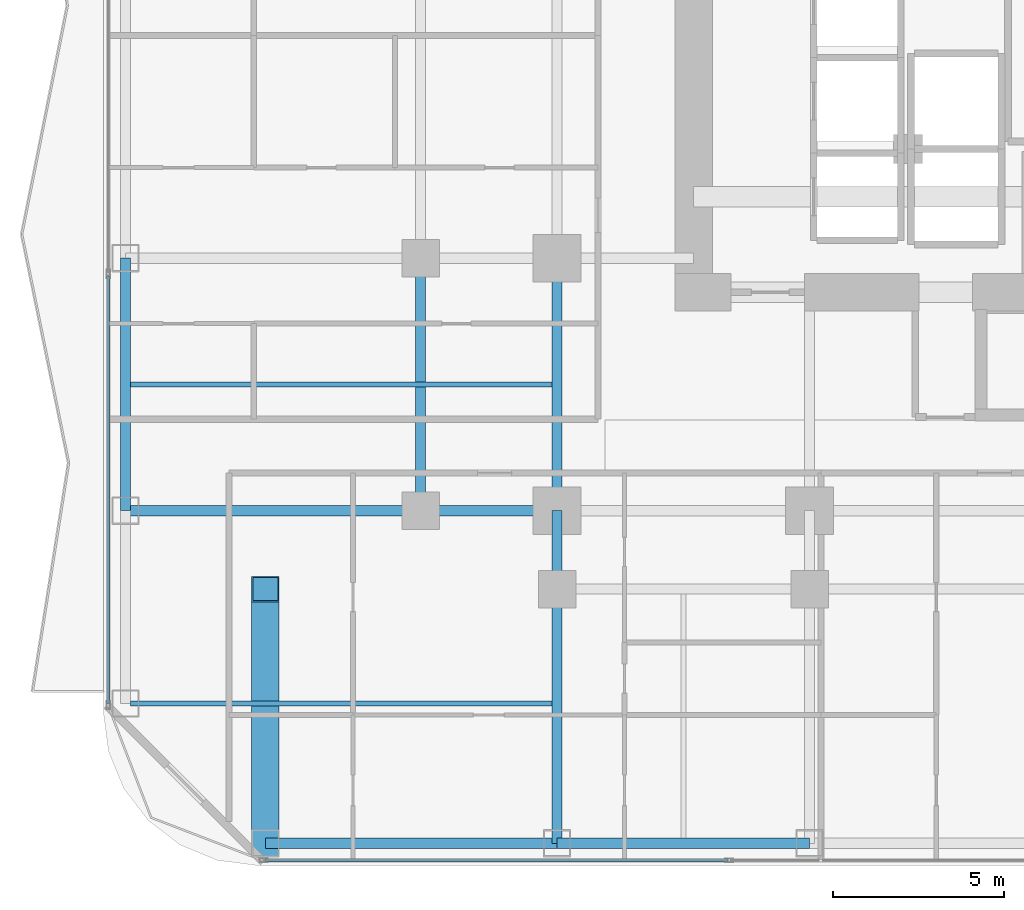
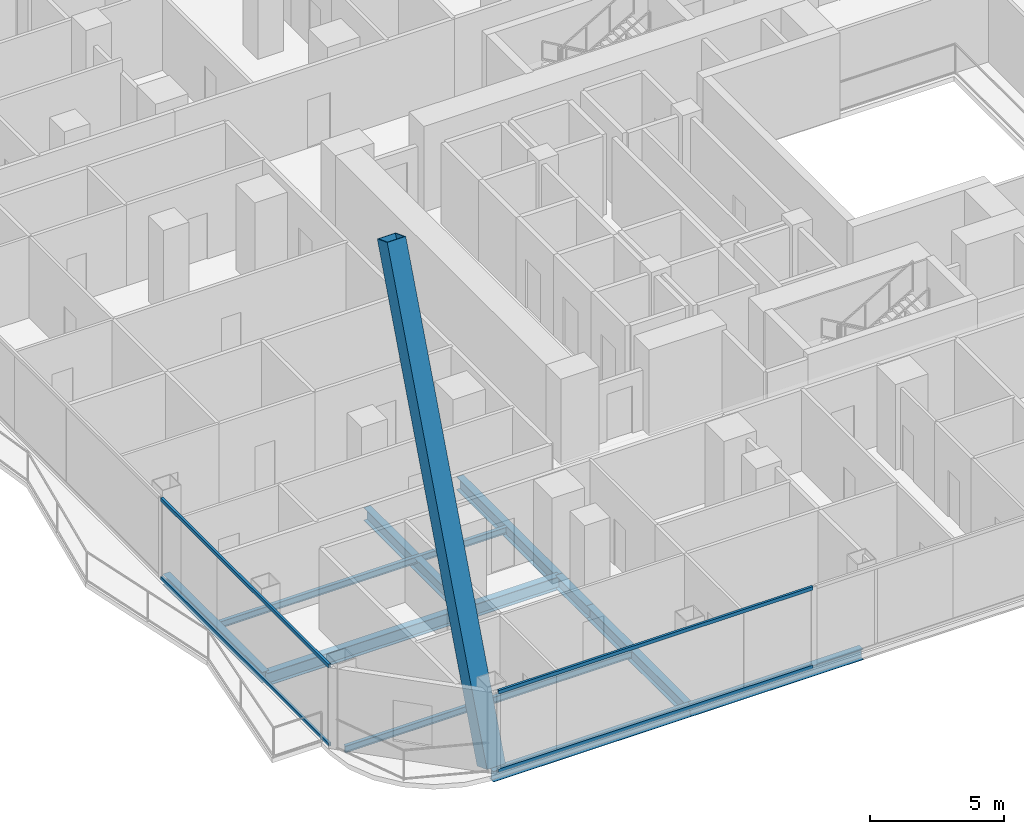
# One storey, part 3 of 33: 11 beams, 5 members, 2 elements without a shape of their own.
"""IFC4 building model written with IfcOpenShell, lengths in metres."""

from ifc_helpers import new_model, si_unit, direction, frame, origin, origin_2d, place, context, subcontext, project, spatial, hollow_rectangle, i_section, extrude, material, layer, layer_set, material_profile, profile_set, type_object, element, aggregate, save


model = new_model("IFC4")

# Units and contexts
model_context = context("Model", 3, precision=1e-05, world=origin(), true_north=direction((0.0, 1.0)))
body_context = subcontext(model_context, "Body", "Model", "MODEL_VIEW")
ifc_project = project(units=[si_unit("LENGTHUNIT", "METRE"), si_unit("AREAUNIT", "SQUARE_METRE"), si_unit("VOLUMEUNIT", "CUBIC_METRE"), si_unit("PLANEANGLEUNIT", "RADIAN"), si_unit("MASSUNIT", "GRAM", prefix="KILO")], contexts=[model_context])

# Site, building, storey
site_placement = place(None, origin())
site = spatial("IfcSite", under=ifc_project, at=site_placement, CompositionType="ELEMENT")
building_placement = place(site_placement, origin())
building = spatial("IfcBuilding", under=site, at=building_placement, Name="Khorvyn Point Tower", CompositionType="ELEMENT")
storey_placement = place(building_placement, frame((0.0, 0.0, 65.699951171875)))
storey = spatial("IfcBuildingStorey", under=building, at=storey_placement, Name="L17", CompositionType="ELEMENT", Elevation=65.699951171875)

# Curtain wall, members
ifc_material_1 = material(Name="Anodised aluminium 6063-T6 and laminated Low-E glass", Category="aluminium")
ifc_layer = layer(ifc_material_1, 0.18994140625)
ifc_layer_set = layer_set([ifc_layer], Name="Stick-Built Finned Residential Curtain Wall CW-SYS-02")
curtain_wall_type = type_object("IfcCurtainWallType", Name="Stick-Built Finned Residential Curtain Wall CW-SYS-02", PredefinedType="NOTDEFINED", material=ifc_layer_set)
curtain_wall_1_placement = place(storey_placement, origin())
curtain_wall_1 = element("IfcCurtainWall", 1, at=curtain_wall_1_placement, inside=storey, type_object=curtain_wall_type, Name="Curtain Wall", PredefinedType="NOTDEFINED")
ifc_material_2 = material(Name="Anodised aluminium 6063-T6", Category="aluminium")
ifc_material_profile_1 = material_profile(ifc_material_2, hollow_rectangle(XDim=0.10009765625, YDim=0.159912109375, WallThickness=0.00439453125, at=origin_2d()))
ifc_profile_set_1 = profile_set([ifc_material_profile_1], Name="Anodised aluminium 6063-T6 ALU-TRN-100x160")
member_type_1 = type_object("IfcMemberType", Name="Anodised Aluminium 6063-T6 Transom ALU-TRN-100x160", PredefinedType="USERDEFINED", material=ifc_profile_set_1)
member_1_placement = place(storey_placement, frame((-9.800048828125, -25.050048828125, 0.050048828125), z_axis=(-1.0, 0.0, 0.0), x_axis=(0.0, -1.0, 0.0)))
member_1 = element("IfcMember", 2, at=member_1_placement, type_object=member_type_1, Name="Transom", ObjectType="TRANSOM", PredefinedType="USERDEFINED", context=body_context, shape_type="SweptSolid", body=[
    extrude(hollow_rectangle(XDim=0.10009765625, YDim=0.159912109375, WallThickness=0.00439453125, at=origin_2d()), origin(), (0.0, 0.0, 1.0), 13.550048828125),
])
member_2_placement = place(storey_placement, frame((-9.800048828125, -25.050048828125, 3.630126953125), z_axis=(-1.0, 0.0, 0.0), x_axis=(0.0, -1.0, 0.0)))
member_2 = element("IfcMember", 3, at=member_2_placement, type_object=member_type_1, Name="Transom", ObjectType="TRANSOM", PredefinedType="USERDEFINED", context=body_context, shape_type="SweptSolid", body=[
    extrude(hollow_rectangle(XDim=0.10009765625, YDim=0.159912109375, WallThickness=0.00439453125, at=origin_2d()), origin(), (0.0, 0.0, 1.0), 13.550048828125),
])
aggregate(curtain_wall_1, [member_1, member_2])

curtain_wall_2_placement = place(storey_placement, origin())
curtain_wall_2 = element("IfcCurtainWall", 4, at=curtain_wall_2_placement, inside=storey, type_object=curtain_wall_type, Name="Curtain Wall", PredefinedType="NOTDEFINED")
member_3_placement = place(storey_placement, frame((-27.949951171875, -20.449951171875, 0.050048828125), z_axis=(0.0, 1.0, 0.0), x_axis=(-1.0, 0.0, 0.0)))
member_3 = element("IfcMember", 5, at=member_3_placement, type_object=member_type_1, Name="Transom", ObjectType="TRANSOM", PredefinedType="USERDEFINED", context=body_context, shape_type="SweptSolid", body=[
    extrude(hollow_rectangle(XDim=0.10009765625, YDim=0.159912109375, WallThickness=0.00439453125, at=origin_2d()), origin(), (0.0, 0.0, 1.0), 12.534423828125),
])
member_4_placement = place(storey_placement, frame((-27.949951171875, -20.449951171875, 3.630126953125), z_axis=(0.0, 1.0, 0.0), x_axis=(-1.0, 0.0, 0.0)))
member_4 = element("IfcMember", 6, at=member_4_placement, type_object=member_type_1, Name="Transom", ObjectType="TRANSOM", PredefinedType="USERDEFINED", context=body_context, shape_type="SweptSolid", body=[
    extrude(hollow_rectangle(XDim=0.10009765625, YDim=0.159912109375, WallThickness=0.00439453125, at=origin_2d()), origin(), (0.0, 0.0, 1.0), 12.534423828125),
])
aggregate(curtain_wall_2, [member_3, member_4])

# Beams
ifc_material_3 = material(Name="Steel S355", Category="steel")
ifc_material_profile_2 = material_profile(ifc_material_3, i_section(OverallWidth=0.300048828125, OverallDepth=0.587890625, WebThickness=0.011962890625, FlangeThickness=0.02001953125, at=origin_2d()))
ifc_profile_set_2 = profile_set([ifc_material_profile_2], Name="Steel S355 H588x300x12x20")
beam_type_1 = type_object("IfcBeamType", Name="Steel S355 Beam H588x300x12x20", PredefinedType="BEAM", material=ifc_profile_set_2)
beam_1_placement = place(storey_placement, frame((-27.449951171875, -14.800048828125, -0.513916015625), z_axis=(1.0, 0.0, 0.0), x_axis=(0.0, 1.0, 0.0)))
element("IfcBeam", 7, at=beam_1_placement, inside=storey, type_object=beam_type_1, Name="Beam", PredefinedType="BEAM", context=body_context, shape_type="SweptSolid", body=[
    extrude(i_section(OverallWidth=0.300048828125, OverallDepth=0.587890625, WebThickness=0.011962890625, FlangeThickness=0.02001953125, at=origin_2d()), origin(), (0.0, 0.0, 1.0), 8.64990234375),
])
beam_2_placement = place(storey_placement, frame((-18.800048828125, -14.800048828125, -0.513916015625), z_axis=(1.0, 0.0, 0.0), x_axis=(0.0, 1.0, 0.0)))
element("IfcBeam", 8, at=beam_2_placement, inside=storey, type_object=beam_type_1, Name="Beam", PredefinedType="BEAM", context=body_context, shape_type="SweptSolid", body=[
    extrude(i_section(OverallWidth=0.300048828125, OverallDepth=0.587890625, WebThickness=0.011962890625, FlangeThickness=0.02001953125, at=origin_2d()), origin(), (0.0, 0.0, 1.0), 4.0),
])
beam_3_placement = place(storey_placement, frame((-14.800048828125, -24.550048828125, -0.513916015625), z_axis=(0.0, 1.0, 0.0), x_axis=(-1.0, 0.0, 0.0)))
element("IfcBeam", 9, at=beam_3_placement, inside=storey, type_object=beam_type_1, Name="Beam", PredefinedType="BEAM", context=body_context, shape_type="SweptSolid", body=[
    extrude(i_section(OverallWidth=0.300048828125, OverallDepth=0.587890625, WebThickness=0.011962890625, FlangeThickness=0.02001953125, at=origin_2d()), origin(), (0.0, 0.0, 1.0), 7.449951171875),
])
beam_4_placement = place(storey_placement, frame((-14.800048828125, -17.10009765625, -0.513916015625), z_axis=(0.0, 1.0, 0.0), x_axis=(-1.0, 0.0, 0.0)))
element("IfcBeam", 10, at=beam_4_placement, inside=storey, type_object=beam_type_1, Name="Beam", PredefinedType="BEAM", context=body_context, shape_type="SweptSolid", body=[
    extrude(i_section(OverallWidth=0.300048828125, OverallDepth=0.587890625, WebThickness=0.011962890625, FlangeThickness=0.02001953125, at=origin_2d()), origin(), (0.0, 0.0, 1.0), 2.300048828125),
])
for number, where, z_axis, x_axis, name in (
    (11, (-14.800048828125, -14.800048828125, -0.513916015625), (0.0, 1.0, 0.0), (-1.0, 0.0, 0.0), "Beam"),
    (12, (-18.800048828125, -14.800048828125, -0.513916015625), (0.0, 1.0, 0.0), (-1.0, 0.0, 0.0), "Beam"),
):
    element("IfcBeam", number, at=place(storey_placement, frame(where, z_axis=z_axis, x_axis=x_axis)), inside=storey, type_object=beam_type_1, Name=name, PredefinedType="BEAM", context=body_context, shape_type="SweptSolid", body=[
        extrude(i_section(OverallWidth=0.300048828125, OverallDepth=0.587890625, WebThickness=0.011962890625, FlangeThickness=0.02001953125, at=origin_2d()), origin(), (0.0, 0.0, 1.0), 7.400146484375),
    ])
ifc_material_profile_3 = material_profile(ifc_material_3, i_section(OverallWidth=0.14990234375, OverallDepth=0.300048828125, WebThickness=0.006591796875, FlangeThickness=0.009033203125, at=origin_2d()))
ifc_profile_set_3 = profile_set([ifc_material_profile_3], Name="Steel S355 H300x150x6.5x9")
beam_type_2 = type_object("IfcBeamType", Name="Steel S355 Joist H300x150x6.5x9", PredefinedType="JOIST", material=ifc_profile_set_3)
for number, where, z_axis, x_axis, name in (
    (13, (-27.300048828125, -11.10009765625, -0.369873046875), (1.0, 0.0, 0.0), (0.0, 1.0, 0.0), "Beam"),
    (14, (-27.300048828125, -20.449951171875, -0.369873046875), (1.0, 0.0, 0.0), (0.0, 1.0, 0.0), "Beam"),
):
    element("IfcBeam", number, at=place(storey_placement, frame(where, z_axis=z_axis, x_axis=x_axis)), inside=storey, type_object=beam_type_2, Name=name, PredefinedType="JOIST", context=body_context, shape_type="SweptSolid", body=[
        extrude(i_section(OverallWidth=0.14990234375, OverallDepth=0.300048828125, WebThickness=0.006591796875, FlangeThickness=0.009033203125, at=origin_2d()), origin(), (0.0, 0.0, 1.0), 12.35009765625),
    ])
ifc_material_profile_4 = material_profile(ifc_material_3, i_section(OverallWidth=0.300048828125, OverallDepth=0.488037109375, WebThickness=0.010986328125, FlangeThickness=0.01806640625, at=origin_2d()))
ifc_profile_set_4 = profile_set([ifc_material_profile_4], Name="Steel S355 H488x300x11x18")
beam_type_3 = type_object("IfcBeamType", Name="Steel S355 Spandrel H488x300x11x18", PredefinedType="SPANDREL", material=ifc_profile_set_4)
beam_5_placement = place(storey_placement, frame((-23.35009765625, -24.550048828125, -0.4638671875), z_axis=(1.0, 0.0, 0.0), x_axis=(0.0, 1.0, 0.0)))
element("IfcBeam", 15, at=beam_5_placement, inside=storey, type_object=beam_type_3, Name="Beam", PredefinedType="SPANDREL", context=body_context, shape_type="SweptSolid", body=[
    extrude(i_section(OverallWidth=0.300048828125, OverallDepth=0.488037109375, WebThickness=0.010986328125, FlangeThickness=0.01806640625, at=origin_2d()), origin(), (0.0, 0.0, 1.0), 8.550048828125),
])
for number, where, z_axis, x_axis, name in (
    (16, (-14.800048828125, -24.550048828125, -0.4638671875), (1.0, 0.0, 0.0), (0.0, 1.0, 0.0), "Beam"),
    (17, (-27.449951171875, -14.800048828125, -0.4638671875), (0.0, 1.0, 0.0), (-1.0, 0.0, 0.0), "Beam"),
):
    element("IfcBeam", number, at=place(storey_placement, frame(where, z_axis=z_axis, x_axis=x_axis)), inside=storey, type_object=beam_type_3, Name=name, PredefinedType="SPANDREL", context=body_context, shape_type="SweptSolid", body=[
        extrude(i_section(OverallWidth=0.300048828125, OverallDepth=0.488037109375, WebThickness=0.010986328125, FlangeThickness=0.01806640625, at=origin_2d()), origin(), (0.0, 0.0, 1.0), 7.400146484375),
    ])

# Member
ifc_material_4 = material(Name="Steel S450", Category="steel")
ifc_material_profile_5 = material_profile(ifc_material_4, hollow_rectangle(XDim=0.800048828125, YDim=0.800048828125, WallThickness=0.035888671875, at=origin_2d()))
ifc_profile_set_5 = profile_set([ifc_material_profile_5], Name="Steel S450 BOX800x800x36")
member_type_2 = type_object("IfcMemberType", Name="Steel S450 Exoskeleton Structural Post BOX800x800x36", PredefinedType="POST", material=ifc_profile_set_5)
member_5_placement = place(storey_placement, frame((-23.35009765625, -24.550048828125, 0.0), z_axis=(0.0, 0.356889561092, 0.93414658442), x_axis=(-1.0, 0.0, 0.0)))
element("IfcMember", 18, at=member_5_placement, inside=storey, type_object=member_type_2, Name="L17 to L21 Exoskeleton Transfer Post 01", PredefinedType="POST", context=body_context, shape_type="SweptSolid", body=[
    extrude(hollow_rectangle(XDim=0.800048828125, YDim=0.800048828125, WallThickness=0.035888671875, at=origin_2d()), origin(), (0.0, 0.0, 1.0), 20.874755859375),
])

save(model, "model.ifc")
